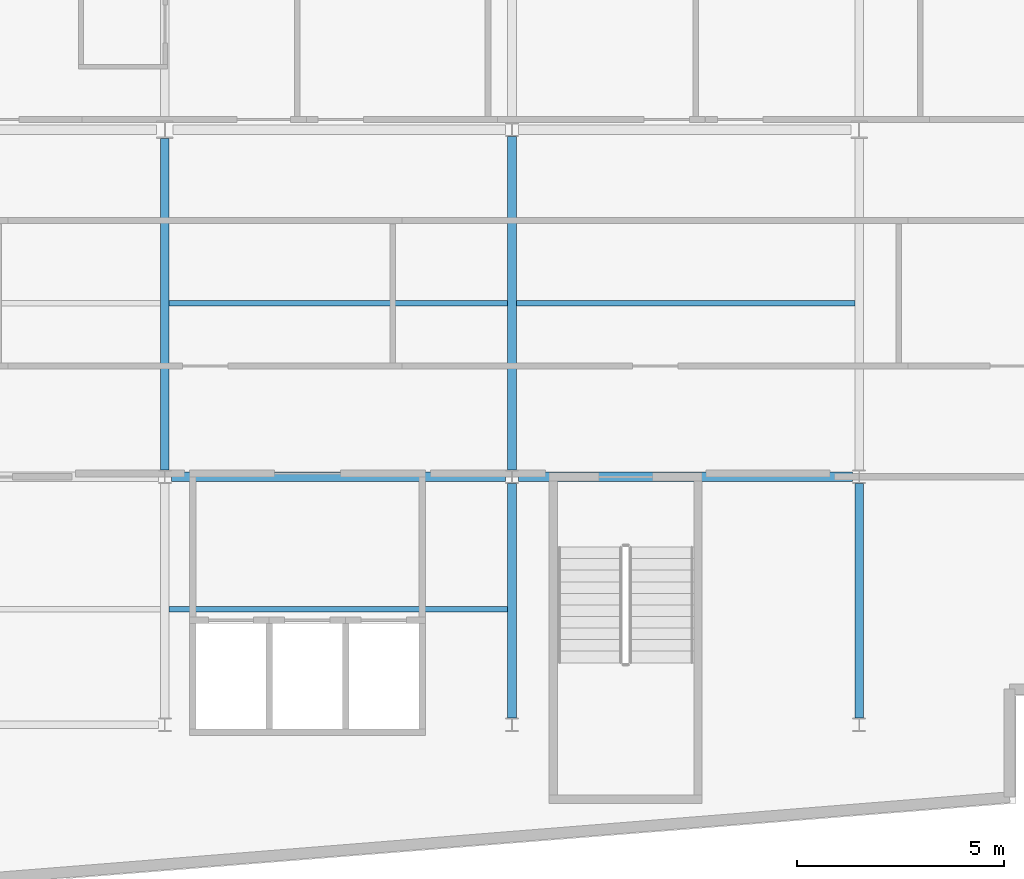
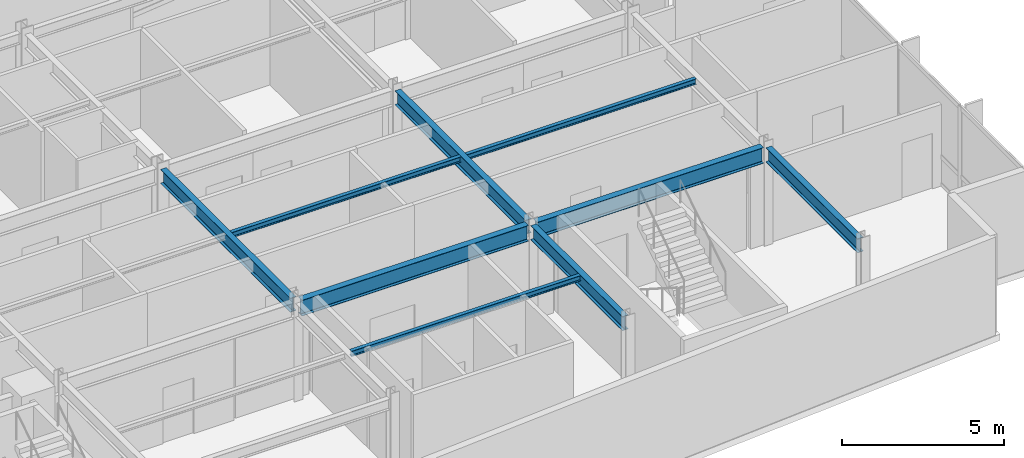
# One storey, part 4 of 19: 9 beams.
"""IFC4 building model written with IfcOpenShell, lengths in metres."""

from ifc_helpers import new_model, si_unit, direction, frame, origin, origin_2d, place, context, subcontext, project, spatial, i_section, extrude, material, material_profile, profile_set, type_object, element, save


model = new_model("IFC4")

# Units and contexts
model_context = context("Model", 3, precision=1e-05, world=origin(), true_north=direction((0.0, 1.0)))
body_context = subcontext(model_context, "Body", "Model", "MODEL_VIEW")
ifc_project = project(units=[si_unit("LENGTHUNIT", "METRE"), si_unit("AREAUNIT", "SQUARE_METRE"), si_unit("VOLUMEUNIT", "CUBIC_METRE"), si_unit("PLANEANGLEUNIT", "RADIAN"), si_unit("MASSUNIT", "GRAM", prefix="KILO")], contexts=[model_context])

# Site, building, storey
site_placement = place(None, origin())
site = spatial("IfcSite", under=ifc_project, at=site_placement, CompositionType="ELEMENT")
building_placement = place(site_placement, origin())
building = spatial("IfcBuilding", under=site, at=building_placement, Name="Varnakote Quay Hospital", CompositionType="ELEMENT")
storey_placement = place(building_placement, frame((0.0, 0.0, 115.199951171875)))
storey = spatial("IfcBuildingStorey", under=building, at=storey_placement, Name="L28", CompositionType="ELEMENT", Elevation=115.199951171875)

# Beams
ifc_material_1 = material(Name="Structural steel AS/NZS 3679.1 Grade 350 L0 (fy 340 MPa)", Category="steel")
ifc_material_profile_1 = material_profile(ifc_material_1, i_section(OverallWidth=0.208984375, OverallDepth=0.532958984375, WebThickness=0.01025390625, FlangeThickness=0.015625, FilletRadius=0.013916015625, at=origin_2d()), Name="530UB92.4")
ifc_profile_set_1 = profile_set([ifc_material_profile_1], Name="Structural steel AS/NZS 3679.1 Grade 350 L0 (fy 340 MPa)")
beam_type_1 = type_object("IfcBeamType", Name="BM-STL-530UB92-4", PredefinedType="BEAM", material=ifc_profile_set_1)
beam_1_placement = place(storey_placement, frame((33.60009765625, 12.160400390625, 3.443603515625), z_axis=(0.0, 1.0, 0.0), x_axis=(-1.0, 0.0, 0.0)))
element("IfcBeam", 1, at=beam_1_placement, inside=storey, type_object=beam_type_1, Name="L28 Primary Tie Beam", PredefinedType="BEAM", context=body_context, shape_type="SweptSolid", body=[
    extrude(i_section(OverallWidth=0.208984375, OverallDepth=0.532958984375, WebThickness=0.01025390625, FlangeThickness=0.015625, FilletRadius=0.013916015625, at=origin_2d()), origin(), (0.0, 0.0, 1.0), 8.029541015625),
])
beam_2_placement = place(storey_placement, frame((42.0, 6.160400390625, 3.443603515625), z_axis=(0.0, 1.0, 0.0), x_axis=(-1.0, 0.0, 0.0)))
element("IfcBeam", 2, at=beam_2_placement, inside=storey, type_object=beam_type_1, Name="L28 Primary Tie Beam", PredefinedType="BEAM", context=body_context, shape_type="SweptSolid", body=[
    extrude(i_section(OverallWidth=0.208984375, OverallDepth=0.532958984375, WebThickness=0.01025390625, FlangeThickness=0.015625, FilletRadius=0.013916015625, at=origin_2d()), origin(), (0.0, 0.0, 1.0), 5.67919921875),
])
beam_3_placement = place(storey_placement, frame((42.0, 12.160400390625, 3.443603515625), z_axis=(0.0, 1.0, 0.0), x_axis=(-1.0, 0.0, 0.0)))
element("IfcBeam", 3, at=beam_3_placement, inside=storey, type_object=beam_type_1, Name="L28 Primary Tie Beam", PredefinedType="BEAM", context=body_context, shape_type="SweptSolid", body=[
    extrude(i_section(OverallWidth=0.208984375, OverallDepth=0.532958984375, WebThickness=0.01025390625, FlangeThickness=0.015625, FilletRadius=0.013916015625, at=origin_2d()), origin(), (0.0, 0.0, 1.0), 8.0791015625),
])
beam_4_placement = place(storey_placement, frame((50.39990234375, 6.160400390625, 3.443603515625), z_axis=(0.0, 1.0, 0.0), x_axis=(-1.0, 0.0, 0.0)))
element("IfcBeam", 4, at=beam_4_placement, inside=storey, type_object=beam_type_1, Name="L28 Primary Tie Beam", PredefinedType="BEAM", context=body_context, shape_type="SweptSolid", body=[
    extrude(i_section(OverallWidth=0.208984375, OverallDepth=0.532958984375, WebThickness=0.01025390625, FlangeThickness=0.015625, FilletRadius=0.013916015625, at=origin_2d()), origin(), (0.0, 0.0, 1.0), 5.67919921875),
])
ifc_material_2 = material(Name="Structural steel AS/NZS 3679.1 Grade 350 L0 (fy 340 MPa)", Category="steel")
ifc_material_profile_2 = material_profile(ifc_material_2, i_section(OverallWidth=0.22802734375, OverallDepth=0.60205078125, WebThickness=0.010498046875, FlangeThickness=0.014892578125, FilletRadius=0.013916015625, at=origin_2d()), Name="610UB101")
ifc_profile_set_2 = profile_set([ifc_material_profile_2], Name="Structural steel AS/NZS 3679.1 Grade 350 L0 (fy 340 MPa)")
beam_type_2 = type_object("IfcBeamType", Name="BM-STL-610UB101", PredefinedType="BEAM", material=ifc_profile_set_2)
for number, where, z_axis, x_axis, name in (
    (5, (33.75439453125, 12.0, 3.408935546875), (1.0, 0.0, 0.0), (0.0, 1.0, 0.0), "L28 Primary Floor Beam"),
    (6, (42.154541015625, 12.0, 3.408935546875), (1.0, 0.0, 0.0), (0.0, 1.0, 0.0), "L28 Primary Floor Beam"),
):
    element("IfcBeam", number, at=place(storey_placement, frame(where, z_axis=z_axis, x_axis=x_axis)), inside=storey, type_object=beam_type_2, Name=name, PredefinedType="BEAM", context=body_context, shape_type="SweptSolid", body=[
        extrude(i_section(OverallWidth=0.22802734375, OverallDepth=0.60205078125, WebThickness=0.010498046875, FlangeThickness=0.014892578125, FilletRadius=0.013916015625, at=origin_2d()), origin(), (0.0, 0.0, 1.0), 8.091064453125),
    ])
ifc_material_3 = material(Name="Structural steel AS/NZS 3679.1 Grade 350 L0 (fy 340 MPa)", Category="steel")
ifc_material_profile_3 = material_profile(ifc_material_3, i_section(OverallWidth=0.134033203125, OverallDepth=0.20703125, WebThickness=0.00634765625, FlangeThickness=0.009521484375, FilletRadius=0.0087890625, at=origin_2d()), Name="200UB29.8")
ifc_profile_set_3 = profile_set([ifc_material_profile_3], Name="Structural steel AS/NZS 3679.1 Grade 350 L0 (fy 340 MPa)")
beam_type_3 = type_object("IfcBeamType", Name="JST-STL-200UB29-8", PredefinedType="JOIST", material=ifc_profile_set_3)
for number, where, z_axis, x_axis, name in (
    (7, (33.70458984375, 8.800048828125, 3.6064453125), (1.0, 0.0, 0.0), (0.0, 1.0, 0.0), "L28 Composite Floor Joist"),
    (8, (33.70458984375, 16.199951171875, 3.6064453125), (1.0, 0.0, 0.0), (0.0, 1.0, 0.0), "L28 Composite Floor Joist"),
    (9, (42.1044921875, 16.199951171875, 3.6064453125), (1.0, 0.0, 0.0), (0.0, 1.0, 0.0), "L28 Composite Floor Joist"),
):
    element("IfcBeam", number, at=place(storey_placement, frame(where, z_axis=z_axis, x_axis=x_axis)), inside=storey, type_object=beam_type_3, Name=name, PredefinedType="JOIST", context=body_context, shape_type="SweptSolid", body=[
        extrude(i_section(OverallWidth=0.134033203125, OverallDepth=0.20703125, WebThickness=0.00634765625, FlangeThickness=0.009521484375, FilletRadius=0.0087890625, at=origin_2d()), origin(), (0.0, 0.0, 1.0), 8.19091796875),
    ])

save(model, "model.ifc")
